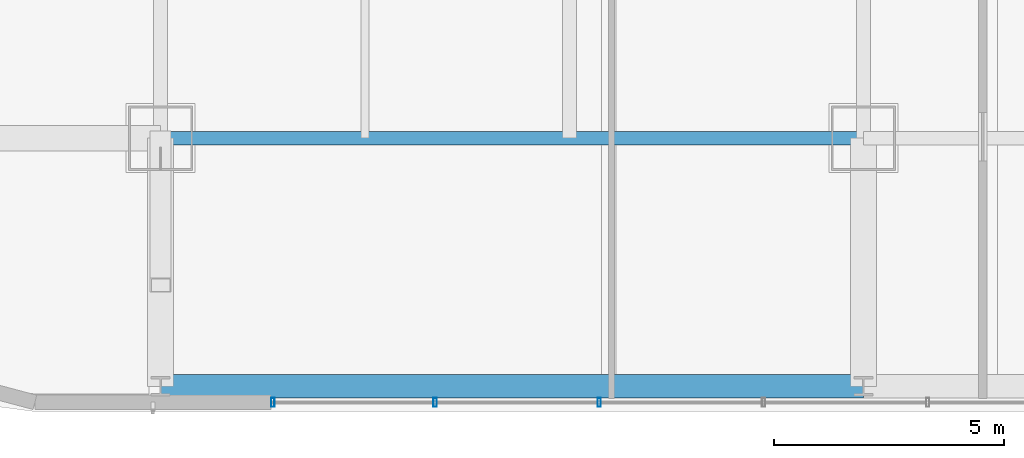
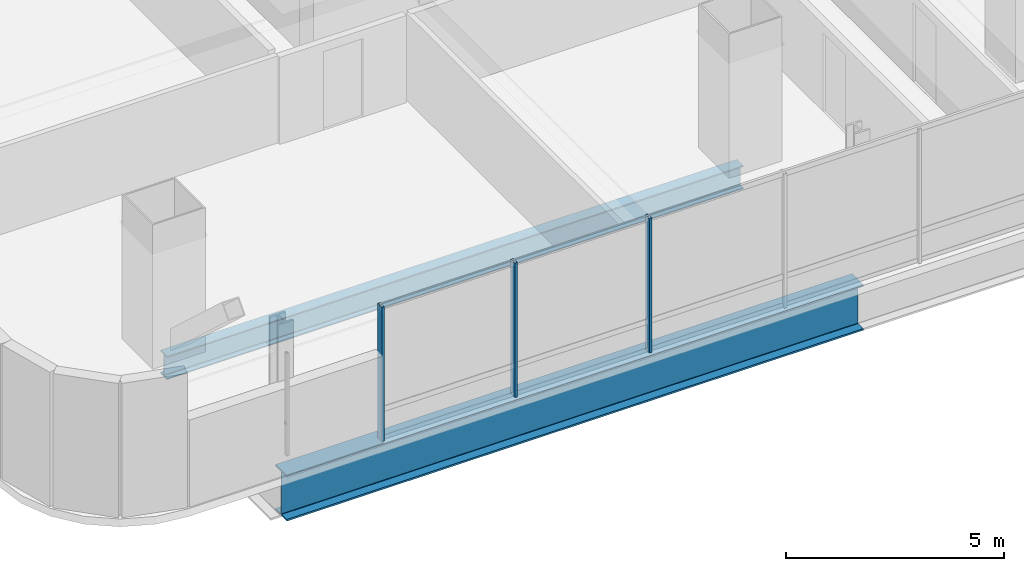
# One storey, part 2 of 46: 3 members, 2 beams, 1 element without a shape of its own.
"""IFC4 building model written with IfcOpenShell, lengths in metres."""

from ifc_helpers import new_model, si_unit, direction, frame, origin, origin_2d, place, context, subcontext, project, spatial, hollow_rectangle, i_section, extrude, material, material_profile, profile_set, type_object, element, aggregate, save


model = new_model("IFC4")

# Units and contexts
model_context = context("Model", 3, precision=1e-05, world=origin(), true_north=direction((0.0, 1.0)))
body_context = subcontext(model_context, "Body", "Model", "MODEL_VIEW")
ifc_project = project(units=[si_unit("LENGTHUNIT", "METRE"), si_unit("AREAUNIT", "SQUARE_METRE"), si_unit("VOLUMEUNIT", "CUBIC_METRE"), si_unit("PLANEANGLEUNIT", "RADIAN"), si_unit("MASSUNIT", "GRAM", prefix="KILO")], contexts=[model_context])

# Site, building, storey
site_placement = place(None, origin())
site = spatial("IfcSite", under=ifc_project, at=site_placement, CompositionType="ELEMENT")
building_placement = place(site_placement, origin())
building = spatial("IfcBuilding", under=site, at=building_placement, Name="Punatoya Terracotta Tower", CompositionType="ELEMENT")
storey_placement = place(building_placement, frame((0.0, 0.0, 200.550048828125)))
storey = spatial("IfcBuildingStorey", under=building, at=storey_placement, Name="L47", CompositionType="ELEMENT", Elevation=200.550048828125)

# Beams
ifc_material_1 = material(Name="Steel S355", Category="steel")
ifc_material_profile_1 = material_profile(ifc_material_1, i_section(OverallWidth=0.300048828125, OverallDepth=0.64990234375, WebThickness=0.01611328125, FlangeThickness=0.031005859375, FilletRadius=0.01806640625, at=origin_2d()))
ifc_profile_set_1 = profile_set([ifc_material_profile_1], Name="Steel S355")
beam_type_1 = type_object("IfcBeamType", Name="BM-PRI-650", PredefinedType="BEAM", material=ifc_profile_set_1)
beam_1_placement = place(storey_placement, frame((-19.10009765625, -17.5, -0.545166015625), z_axis=(1.0, 0.0, 0.0), x_axis=(0.0, 1.0, 0.0)))
element("IfcBeam", 1, at=beam_1_placement, inside=storey, type_object=beam_type_1, Name="BM-L47-RG-S1", PredefinedType="BEAM", context=body_context, shape_type="SweptSolid", body=[
    extrude(i_section(OverallWidth=0.300048828125, OverallDepth=0.64990234375, WebThickness=0.01611328125, FlangeThickness=0.031005859375, FilletRadius=0.01806640625, at=origin_2d()), origin(), (0.0, 0.0, 1.0), 15.300048828125),
])
ifc_material_2 = material(Name="Steel S460", Category="steel")
ifc_material_profile_2 = material_profile(ifc_material_2, i_section(OverallWidth=0.52001953125, OverallDepth=1.280029296875, WebThickness=0.031982421875, FlangeThickness=0.050048828125, FilletRadius=0.01806640625, at=origin_2d()))
ifc_profile_set_2 = profile_set([ifc_material_profile_2], Name="Steel S460")
beam_type_2 = type_object("IfcBeamType", Name="BM-TG-NCK", PredefinedType="BEAM", material=ifc_profile_set_2)
beam_2_placement = place(storey_placement, frame((-19.10009765625, -22.89990234375, -0.860107421875), z_axis=(1.0, 0.0, 0.0), x_axis=(0.0, 1.0, 0.0)))
element("IfcBeam", 2, at=beam_2_placement, inside=storey, type_object=beam_type_2, Name="BM-L47-PER-S1", PredefinedType="BEAM", context=body_context, shape_type="SweptSolid", body=[
    extrude(i_section(OverallWidth=0.52001953125, OverallDepth=1.280029296875, WebThickness=0.031982421875, FlangeThickness=0.050048828125, FilletRadius=0.01806640625, at=origin_2d()), origin(), (0.0, 0.0, 1.0), 15.300048828125),
])

# Curtain wall, members
ifc_material_3 = material(Name="Aluminium 6063-T6 + Double Low-E Glass", Category="aluminium")
curtain_wall_type = type_object("IfcCurtainWallType", Name="CW-M2", PredefinedType="NOTDEFINED", material=ifc_material_3)
curtain_wall_placement = place(storey_placement, origin())
curtain_wall = element("IfcCurtainWall", 3, at=curtain_wall_placement, inside=storey, type_object=curtain_wall_type, Name="L47 Curtain Wall CW-L47-S01-1", PredefinedType="NOTDEFINED")
ifc_material_4 = material(Name="Aluminium 6063-T6", Category="aluminium")
ifc_material_profile_3 = material_profile(ifc_material_4, hollow_rectangle(XDim=0.072021484375, YDim=0.195068359375, WallThickness=0.00439453125, at=origin_2d()))
ifc_profile_set_3 = profile_set([ifc_material_profile_3], Name="Aluminium 6063-T6")
member_type = type_object("IfcMemberType", Name="CW-MUL-M2", PredefinedType="MULLION", material=ifc_profile_set_3)
member_1_placement = place(storey_placement, frame((-16.655029296875, -23.25, 0.0), z_axis=(0.0, 0.0, 1.0), x_axis=(1.0, 0.0, 0.0)))
member_1 = element("IfcMember", 4, at=member_1_placement, type_object=member_type, Name="CW-L47-S01-1 Mullion 00", PredefinedType="MULLION", context=body_context, shape_type="SweptSolid", body=[
    extrude(hollow_rectangle(XDim=0.072021484375, YDim=0.195068359375, WallThickness=0.00439453125, at=origin_2d()), origin(), (0.0, 0.0, 1.0), 3.77001953125),
])
member_2_placement = place(storey_placement, frame((-13.125, -23.25, 0.0), z_axis=(0.0, 0.0, 1.0), x_axis=(1.0, 0.0, 0.0)))
member_2 = element("IfcMember", 5, at=member_2_placement, type_object=member_type, Name="CW-L47-S01-1 Mullion 01", PredefinedType="MULLION", context=body_context, shape_type="SweptSolid", body=[
    extrude(hollow_rectangle(XDim=0.072021484375, YDim=0.195068359375, WallThickness=0.00439453125, at=origin_2d()), origin(), (0.0, 0.0, 1.0), 3.77001953125),
])
member_3_placement = place(storey_placement, frame((-9.550048828125, -23.25, 0.0), z_axis=(0.0, 0.0, 1.0), x_axis=(1.0, 0.0, 0.0)))
member_3 = element("IfcMember", 6, at=member_3_placement, type_object=member_type, Name="CW-L47-S01-1 Mullion 02", PredefinedType="MULLION", context=body_context, shape_type="SweptSolid", body=[
    extrude(hollow_rectangle(XDim=0.072021484375, YDim=0.195068359375, WallThickness=0.00439453125, at=origin_2d()), origin(), (0.0, 0.0, 1.0), 3.77001953125),
])
aggregate(curtain_wall, [member_1, member_2, member_3])

save(model, "model.ifc")
